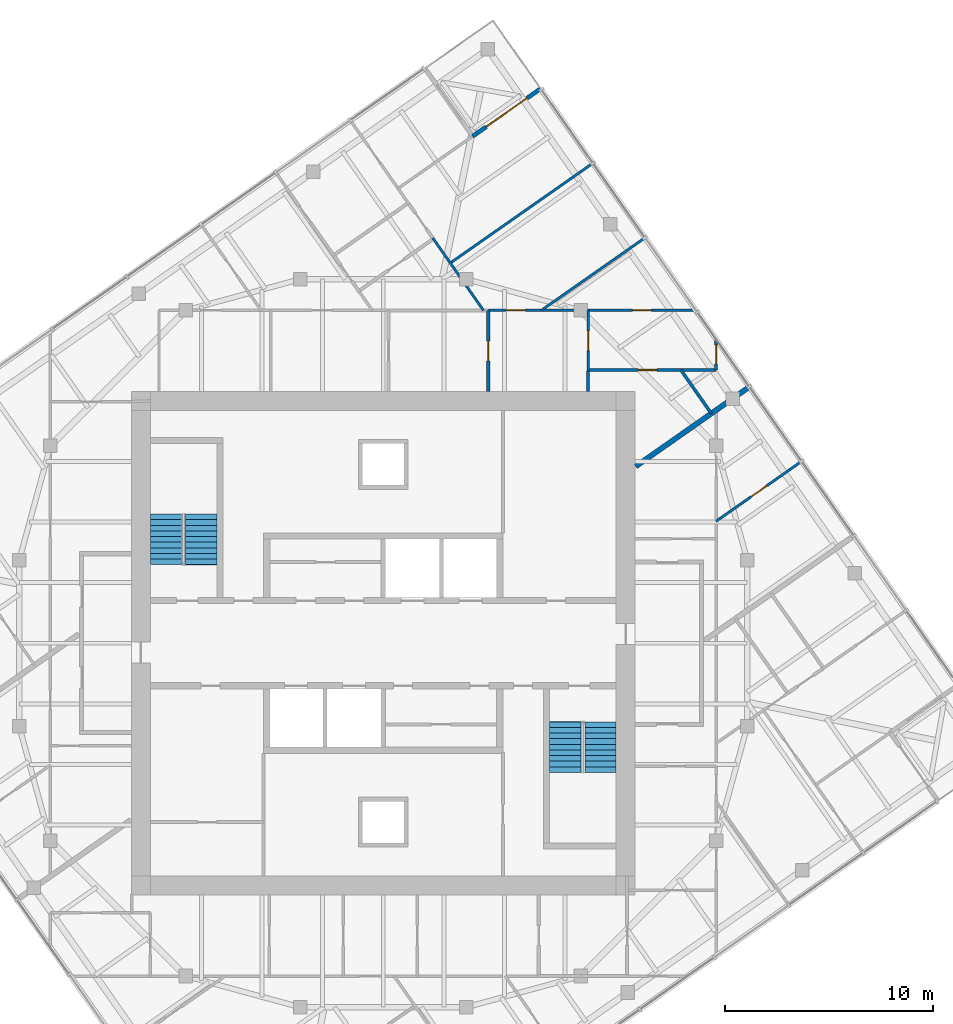
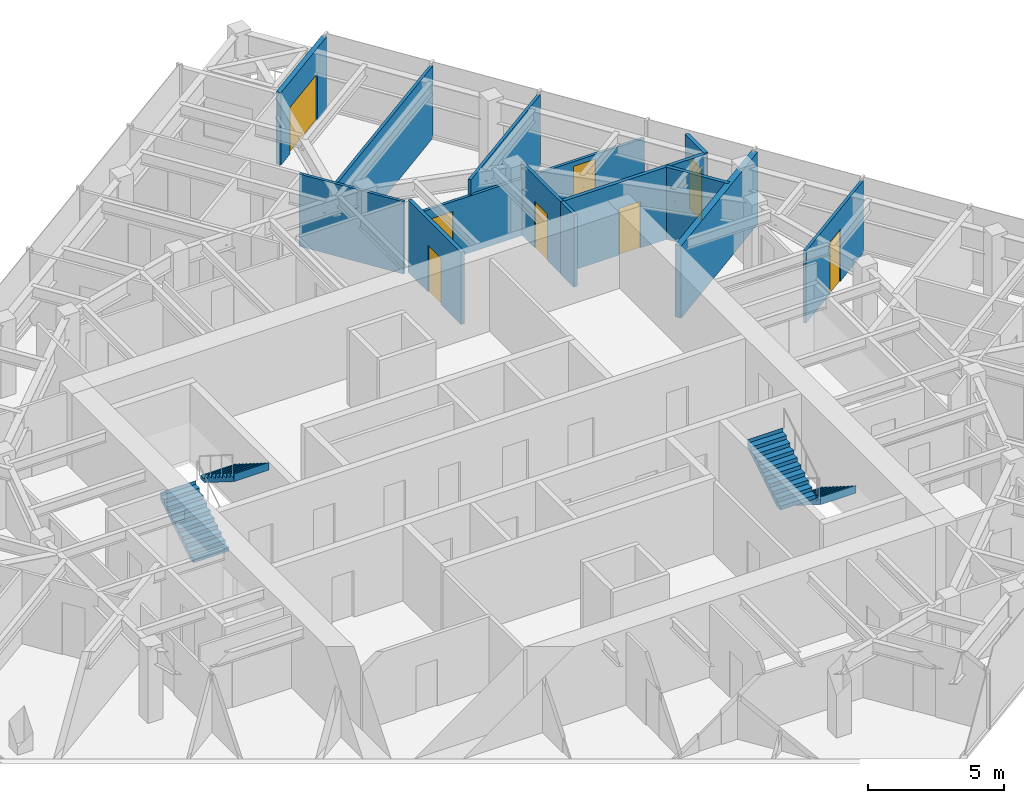
# One storey, part 11 of 12: 13 walls, 8 doors, 4 stair flights, 8 openings, 2 elements without a shape of their own.
"""IFC4 building model written with IfcOpenShell, lengths in metres."""

from ifc_helpers import new_model, si_unit, direction, frame, frame_2d, origin, place, context, subcontext, project, spatial, polyline, rectangle, outline, extrude, material, layer, layer_set, type_object, element, fill, aggregate, save


model = new_model("IFC4")

# Units and contexts
model_context = context("Model", 3, precision=1e-05, world=origin(), true_north=direction((0.0, 1.0)))
body_context = subcontext(model_context, "Body", "Model", "MODEL_VIEW")
ifc_project = project(units=[si_unit("LENGTHUNIT", "METRE"), si_unit("AREAUNIT", "SQUARE_METRE"), si_unit("VOLUMEUNIT", "CUBIC_METRE"), si_unit("PLANEANGLEUNIT", "RADIAN"), si_unit("MASSUNIT", "GRAM", prefix="KILO")], contexts=[model_context])

# Site, building, storey
site_placement = place(None, origin())
site = spatial("IfcSite", under=ifc_project, at=site_placement, CompositionType="ELEMENT")
building_placement = place(site_placement, origin())
building = spatial("IfcBuilding", under=site, at=building_placement, Name="Torsade Residences", CompositionType="ELEMENT")
storey_placement = place(building_placement, frame((0.0, 0.0, 257.39990234375)))
storey = spatial("IfcBuildingStorey", under=building, at=storey_placement, Name="L71", CompositionType="ELEMENT", Elevation=257.39990234375)

# Wall, opening, door
ifc_material_1 = material(Name="Plasterboard on steel stud", Category="steel")
ifc_layer_1 = layer(ifc_material_1, 0.1201171875)
ifc_layer_set_1 = layer_set([ifc_layer_1], Name="Plasterboard on steel stud")
wall_type_1 = type_object("IfcWallType", Name="PARTITION 120", PredefinedType="PARTITIONING", material=ifc_layer_set_1)
wall_1_placement = place(storey_placement, frame((56.0, 35.8623046875, 0.0), z_axis=(0.0, 0.0, 1.0), x_axis=(0.819144584763, 0.57358708951, 0.0)))
wall_1 = element("IfcWall", 1, at=wall_1_placement, inside=storey, type_object=wall_type_1, Name="Partition L71", PredefinedType="PARTITIONING", context=body_context, shape_type="SweptSolid", body=[
    extrude(rectangle(XDim=4.990966796875, YDim=0.1201171875, at=frame_2d((2.49560546875, 0.0))), origin(), (0.0, 0.0, 1.0), 3.25),
])
opening_1_placement = place(wall_1_placement, frame((2.055419921875, 0.0, 0.0)))
opening_1 = element("IfcOpeningElement", 2, at=opening_1_placement, cuts=wall_1, Name="Opening D02", PredefinedType="OPENING", context=body_context, shape_type="SweptSolid", body=[
    extrude(rectangle(XDim=0.919921875, YDim=2.340087890625, at=frame_2d((0.4599609375, 1.169921875))), frame((0.0, 0.070068359375, 0.0), z_axis=(0.0, -1.0, 0.0), x_axis=(1.0, 0.0, 0.0)), (0.0, 0.0, 1.0), 0.14013671875),
])
ifc_material_2 = material(Name="Hollow-core timber door", Category="wood")
door_type_1 = type_object("IfcDoorType", Name="INTERNAL DOOR 920x2340", OperationType="NOTDEFINED", PredefinedType="DOOR", material=ifc_material_2)
door_1_placement = place(opening_1_placement, origin())
door_1 = element("IfcDoor", 3, at=door_1_placement, inside=storey, type_object=door_type_1, Name="Door Bedroom 1 to Living room", OperationType="SINGLE_SWING_LEFT", OverallHeight=2.340087890625, OverallWidth=0.919921875, PredefinedType="DOOR", context=body_context, shape_type="SweptSolid", body=[
    extrude(rectangle(XDim=0.919921875, YDim=2.340087890625, at=frame_2d((0.4599609375, 1.169921875))), frame((0.0, 0.02490234375, 0.0), z_axis=(0.0, -1.0, 0.0), x_axis=(1.0, 0.0, 0.0)), (0.0, 0.0, 1.0), 0.050048828125),
])
fill(opening_1, door_1)

wall_2_placement = place(storey_placement, frame((49.849853515625, 46.0, 0.0), z_axis=(0.0, 0.0, 1.0), x_axis=(0.0, -1.0, 0.0)))
wall_2 = element("IfcWall", 4, at=wall_2_placement, inside=storey, type_object=wall_type_1, Name="Partition L71", PredefinedType="PARTITIONING", context=body_context, shape_type="SweptSolid", body=[
    extrude(rectangle(XDim=2.913330078125, YDim=0.1201171875, at=frame_2d((1.45654296875, 0.0))), origin(), (0.0, 0.0, 1.0), 3.25),
])
opening_2_placement = place(wall_2_placement, frame((0.976806640625, 0.0, 0.0)))
opening_2 = element("IfcOpeningElement", 5, at=opening_2_placement, cuts=wall_2, Name="Opening D05", PredefinedType="OPENING", context=body_context, shape_type="SweptSolid", body=[
    extrude(rectangle(XDim=0.9599609375, YDim=2.10009765625, at=frame_2d((0.47998046875, 1.050048828125))), frame((0.0, 0.070068359375, 0.0), z_axis=(0.0, -1.0, 0.0), x_axis=(1.0, 0.0, 0.0)), (0.0, 0.0, 1.0), 0.14013671875),
])
ifc_material_3 = material(Name="Hollow-core timber door in a steel cavity frame", Category="steel")
door_type_2 = type_object("IfcDoorType", Name="BATHROOM CAVITY SLIDING DOOR 960", OperationType="SLIDING_TO_LEFT", PredefinedType="DOOR", material=ifc_material_3)
door_2_placement = place(opening_2_placement, origin())
door_2 = element("IfcDoor", 6, at=door_2_placement, inside=storey, type_object=door_type_2, Name="Door Laundry to Study", OperationType="SLIDING_TO_LEFT", OverallHeight=2.10009765625, OverallWidth=0.9599609375, PredefinedType="DOOR", context=body_context, shape_type="SweptSolid", body=[
    extrude(rectangle(XDim=0.9599609375, YDim=2.10009765625, at=frame_2d((0.47998046875, 1.050048828125))), frame((0.0, 0.02490234375, 0.0), z_axis=(0.0, -1.0, 0.0), x_axis=(1.0, 0.0, 0.0)), (0.0, 0.0, 1.0), 0.050048828125),
])
fill(opening_2, door_2)

# Wall, openings, doors
wall_3_placement = place(storey_placement, frame((45.05126953125, 46.0, 0.0), z_axis=(0.0, 0.0, 1.0), x_axis=(1.0, 0.0, 0.0)))
wall_3 = element("IfcWall", 7, at=wall_3_placement, inside=storey, type_object=wall_type_1, Name="Partition L71", PredefinedType="PARTITIONING", context=body_context, shape_type="SweptSolid", body=[
    extrude(rectangle(XDim=9.943115234375, YDim=0.1201171875, at=frame_2d((4.9716796875, 0.0))), origin(), (0.0, 0.0, 1.0), 2.550048828125),
])
opening_3_placement = place(wall_3_placement, frame((0.83544921875, 0.0, 0.0)))
opening_3 = element("IfcOpeningElement", 8, at=opening_3_placement, cuts=wall_3, Name="Opening D05", PredefinedType="OPENING", context=body_context, shape_type="SweptSolid", body=[
    extrude(rectangle(XDim=0.9599609375, YDim=2.10009765625, at=frame_2d((0.47998046875, 1.050048828125))), frame((0.0, 0.070068359375, 0.0), z_axis=(0.0, -1.0, 0.0), x_axis=(1.0, 0.0, 0.0)), (0.0, 0.0, 1.0), 0.14013671875),
])
opening_4_placement = place(wall_3_placement, frame((6.935302734375, 0.0, 0.0)))
opening_4 = element("IfcOpeningElement", 9, at=opening_4_placement, cuts=wall_3, Name="Opening D02", PredefinedType="OPENING", context=body_context, shape_type="SweptSolid", body=[
    extrude(rectangle(XDim=0.919921875, YDim=2.340087890625, at=frame_2d((0.4599609375, 1.169921875))), frame((0.0, 0.070068359375, 0.0), z_axis=(0.0, -1.0, 0.0), x_axis=(1.0, 0.0, 0.0)), (0.0, 0.0, 1.0), 0.14013671875),
])
door_3_placement = place(opening_3_placement, origin())
door_3 = element("IfcDoor", 10, at=door_3_placement, inside=storey, type_object=door_type_2, Name="Door Laundry to Bedroom 2", OperationType="SLIDING_TO_LEFT", OverallHeight=2.10009765625, OverallWidth=0.9599609375, PredefinedType="DOOR", context=body_context, shape_type="SweptSolid", body=[
    extrude(rectangle(XDim=0.9599609375, YDim=2.10009765625, at=frame_2d((0.47998046875, 1.050048828125))), frame((0.0, 0.02490234375, 0.0), z_axis=(0.0, -1.0, 0.0), x_axis=(1.0, 0.0, 0.0)), (0.0, 0.0, 1.0), 0.050048828125),
])
fill(opening_3, door_3)
door_4_placement = place(opening_4_placement, origin())
door_4 = element("IfcDoor", 11, at=door_4_placement, inside=storey, type_object=door_type_1, Name="Door Study to Media room 2", OperationType="SINGLE_SWING_LEFT", OverallHeight=2.340087890625, OverallWidth=0.919921875, PredefinedType="DOOR", context=body_context, shape_type="SweptSolid", body=[
    extrude(rectangle(XDim=0.919921875, YDim=2.340087890625, at=frame_2d((0.4599609375, 1.169921875))), frame((0.0, 0.02490234375, 0.0), z_axis=(0.0, -1.0, 0.0), x_axis=(1.0, 0.0, 0.0)), (0.0, 0.0, 1.0), 0.050048828125),
])
fill(opening_4, door_4)

# Walls
wall_4_placement = place(storey_placement, frame((50.05078125, 53.060302734375, 0.0), z_axis=(0.0, 0.0, 1.0), x_axis=(-0.819152099525, -0.573576357466, 0.0)))
element("IfcWall", 12, at=wall_4_placement, inside=storey, type_object=wall_type_1, Name="Partition L71", PredefinedType="PARTITIONING", context=body_context, shape_type="SweptSolid", body=[
    extrude(rectangle(XDim=8.3349609375, YDim=0.1201171875, at=frame_2d((4.16748046875, 0.0))), origin(), (0.0, 0.0, 1.0), 3.25),
])
wall_5_placement = place(storey_placement, frame((44.8193359375, 46.0, 0.0), z_axis=(0.0, 0.0, 1.0), x_axis=(-0.573566368211, 0.819159093985, 0.0)))
element("IfcWall", 13, at=wall_5_placement, inside=storey, type_object=wall_type_1, Name="Partition L71", PredefinedType="PARTITIONING", context=body_context, shape_type="SweptSolid", body=[
    extrude(rectangle(XDim=4.252685546875, YDim=0.1201171875, at=frame_2d((2.12646484375, 0.0))), origin(), (0.0, 0.0, 1.0), 3.25),
])
wall_6_placement = place(storey_placement, frame((52.560302734375, 49.4765625, 0.0), z_axis=(0.0, 0.0, 1.0), x_axis=(-0.81915432861, -0.573573173989, 0.0)))
element("IfcWall", 14, at=wall_6_placement, inside=storey, type_object=wall_type_1, Name="Partition L71", PredefinedType="PARTITIONING", context=body_context, shape_type="SweptSolid", body=[
    extrude(rectangle(XDim=6.061279296875, YDim=0.1201171875, at=frame_2d((3.03076171875, 0.0))), origin(), (0.0, 0.0, 1.0), 3.25),
])
ifc_material_4 = material(Name="Masonry-lined stud party wall", Category="masonry")
ifc_layer_2 = layer(ifc_material_4, 0.25)
ifc_layer_set_2 = layer_set([ifc_layer_2], Name="Masonry-lined stud party wall")
wall_type_2 = type_object("IfcWallType", Name="PARTY WALL 250", PredefinedType="PARTITIONING", material=ifc_layer_set_2)
wall_7_placement = place(storey_placement, frame((57.61181640625, 42.331787109375, 0.0), z_axis=(0.0, 0.0, 1.0), x_axis=(-0.819161528122, -0.573562891796, 0.0)))
element("IfcWall", 15, at=wall_7_placement, inside=storey, type_object=wall_type_2, Name="Party wall L71", PredefinedType="PARTITIONING", context=body_context, shape_type="SweptSolid", body=[
    extrude(rectangle(XDim=6.68115234375, YDim=0.25, at=frame_2d((3.340576171875, 0.0))), origin(), (0.0, 0.0, 1.0), 3.25),
])

# Wall, opening, door
ifc_material_5 = material(Name="Reinforced blockwork", Category="masonry")
ifc_layer_3 = layer(ifc_material_5, 0.14990234375)
ifc_layer_set_3 = layer_set([ifc_layer_3], Name="Reinforced blockwork")
wall_type_3 = type_object("IfcWallType", Name="SERVICE ROOM WALL 150", PredefinedType="SOLIDWALL", material=ifc_layer_set_3)
wall_8_placement = place(storey_placement, frame((45.05126953125, 42.10009765625, 0.0), z_axis=(0.0, 0.0, 1.0), x_axis=(0.0, 1.0, 0.0)))
wall_8 = element("IfcWall", 16, at=wall_8_placement, inside=storey, type_object=wall_type_3, Name="Service room wall L71", PredefinedType="SOLIDWALL", context=body_context, shape_type="SweptSolid", body=[
    extrude(rectangle(XDim=3.89990234375, YDim=0.14990234375, at=frame_2d((1.949951171875, 0.0))), origin(), (0.0, 0.0, 1.0), 3.25),
])
opening_5_placement = place(wall_8_placement, frame((1.469970703125, 0.0, 0.0)))
opening_5 = element("IfcOpeningElement", 17, at=opening_5_placement, cuts=wall_8, Name="Opening D05", PredefinedType="OPENING", context=body_context, shape_type="SweptSolid", body=[
    extrude(rectangle(XDim=0.9599609375, YDim=2.10009765625, at=frame_2d((0.47998046875, 1.050048828125))), frame((0.0, 0.0849609375, 0.0), z_axis=(0.0, -1.0, 0.0), x_axis=(1.0, 0.0, 0.0)), (0.0, 0.0, 1.0), 0.169921875),
])
door_5_placement = place(opening_5_placement, origin())
door_5 = element("IfcDoor", 18, at=door_5_placement, inside=storey, type_object=door_type_2, Name="Door Linen store to Laundry", OperationType="SLIDING_TO_LEFT", OverallHeight=2.10009765625, OverallWidth=0.9599609375, PredefinedType="DOOR", context=body_context, shape_type="SweptSolid", body=[
    extrude(rectangle(XDim=0.9599609375, YDim=2.10009765625, at=frame_2d((0.47998046875, 1.050048828125))), frame((0.0, 0.02490234375, 0.0), z_axis=(0.0, -1.0, 0.0), x_axis=(1.0, 0.0, 0.0)), (0.0, 0.0, 1.0), 0.050048828125),
])
fill(opening_5, door_5)

# Wall
wall_9_placement = place(storey_placement, frame((49.849853515625, 43.086669921875, 0.0), z_axis=(0.0, 0.0, 1.0), x_axis=(0.0, -1.0, 0.0)))
element("IfcWall", 19, at=wall_9_placement, inside=storey, type_object=wall_type_3, Name="Service room wall L71", PredefinedType="SOLIDWALL", context=body_context, shape_type="SweptSolid", body=[
    extrude(rectangle(XDim=0.986572265625, YDim=0.14990234375, at=frame_2d((0.4931640625, 0.0))), origin(), (0.0, 0.0, 1.0), 3.25),
])

# Wall, opening, door
wall_10_placement = place(storey_placement, frame((56.0, 43.13671875, 0.0), z_axis=(0.0, 0.0, 1.0), x_axis=(-1.0, 0.0, 0.0)))
wall_10 = element("IfcWall", 20, at=wall_10_placement, inside=storey, type_object=wall_type_3, Name="Service room wall L71", PredefinedType="SOLIDWALL", context=body_context, shape_type="SweptSolid", body=[
    extrude(rectangle(XDim=6.150146484375, YDim=0.14990234375, at=frame_2d((3.0751953125, 0.0))), origin(), (0.0, 0.0, 1.0), 3.25),
])
opening_6_placement = place(wall_10_placement, frame((2.829345703125, 0.0, 0.0)))
opening_6 = element("IfcOpeningElement", 21, at=opening_6_placement, cuts=wall_10, Name="Opening D02L", PredefinedType="OPENING", context=body_context, shape_type="SweptSolid", body=[
    extrude(rectangle(XDim=0.919921875, YDim=2.10009765625, at=frame_2d((0.4599609375, 1.050048828125))), frame((0.0, 0.0849609375, 0.0), z_axis=(0.0, -1.0, 0.0), x_axis=(1.0, 0.0, 0.0)), (0.0, 0.0, 1.0), 0.169921875),
])
ifc_material_6 = material(Name="Hollow-core timber door", Category="wood")
door_type_3 = type_object("IfcDoorType", Name="INTERNAL DOOR 920x2100", OperationType="NOTDEFINED", PredefinedType="DOOR", material=ifc_material_6)
door_6_placement = place(opening_6_placement, origin())
door_6 = element("IfcDoor", 22, at=door_6_placement, inside=storey, type_object=door_type_3, Name="Door Study to Linen store 2", OperationType="SINGLE_SWING_LEFT", OverallHeight=2.10009765625, OverallWidth=0.919921875, PredefinedType="DOOR", context=body_context, shape_type="SweptSolid", body=[
    extrude(rectangle(XDim=0.919921875, YDim=2.10009765625, at=frame_2d((0.4599609375, 1.050048828125))), frame((0.0, 0.02490234375, 0.0), z_axis=(0.0, -1.0, 0.0), x_axis=(1.0, 0.0, 0.0)), (0.0, 0.0, 1.0), 0.050048828125),
])
fill(opening_6, door_6)

wall_11_placement = place(storey_placement, frame((56.0, 44.56396484375, 0.0), z_axis=(0.0, 0.0, 1.0), x_axis=(0.0, -1.0, 0.0)))
wall_11 = element("IfcWall", 23, at=wall_11_placement, inside=storey, type_object=wall_type_3, Name="Service room wall L71", PredefinedType="SOLIDWALL", context=body_context, shape_type="SweptSolid", body=[
    extrude(rectangle(XDim=1.42724609375, YDim=0.14990234375, at=frame_2d((0.713623046875, 0.0))), origin(), (0.0, 0.0, 1.0), 3.25),
])
opening_7_placement = place(wall_11_placement, frame((0.21875, 0.0, 0.0)))
opening_7 = element("IfcOpeningElement", 24, at=opening_7_placement, cuts=wall_11, Name="Opening D02", PredefinedType="OPENING", context=body_context, shape_type="SweptSolid", body=[
    extrude(rectangle(XDim=0.919921875, YDim=2.340087890625, at=frame_2d((0.4599609375, 1.169921875))), frame((0.0, 0.0849609375, 0.0), z_axis=(0.0, -1.0, 0.0), x_axis=(1.0, 0.0, 0.0)), (0.0, 0.0, 1.0), 0.169921875),
])
door_7_placement = place(opening_7_placement, origin())
door_7 = element("IfcDoor", 25, at=door_7_placement, inside=storey, type_object=door_type_1, Name="Door Study to Linen store 3", OperationType="SINGLE_SWING_RIGHT", OverallHeight=2.340087890625, OverallWidth=0.919921875, PredefinedType="DOOR", context=body_context, shape_type="SweptSolid", body=[
    extrude(rectangle(XDim=0.919921875, YDim=2.340087890625, at=frame_2d((0.4599609375, 1.169921875))), frame((0.0, 0.02490234375, 0.0), z_axis=(0.0, -1.0, 0.0), x_axis=(1.0, 0.0, 0.0)), (0.0, 0.0, 1.0), 0.050048828125),
])
fill(opening_7, door_7)

# Wall
wall_12_placement = place(storey_placement, frame((54.310302734375, 43.13671875, 0.0), z_axis=(0.0, 0.0, 1.0), x_axis=(0.573513690046, -0.819195976144, 0.0)))
element("IfcWall", 26, at=wall_12_placement, inside=storey, type_object=wall_type_3, Name="Service room wall L71", PredefinedType="SOLIDWALL", context=body_context, shape_type="SweptSolid", body=[
    extrude(rectangle(XDim=2.552978515625, YDim=0.14990234375, at=frame_2d((1.2763671875, 0.0))), origin(), (0.0, 0.0, 1.0), 3.25),
])

# Wall, opening, door
ifc_material_7 = material(Name="Stone-faced precast concrete 40 MPa panel", Category="masonry")
ifc_layer_4 = layer(ifc_material_7, 0.199951171875)
ifc_layer_set_4 = layer_set([ifc_layer_4], Name="Stone-faced precast concrete 40 MPa panel")
wall_type_4 = type_object("IfcWallType", Name="TERRACE WALL 200", PredefinedType="SOLIDWALL", material=ifc_layer_set_4)
wall_13_placement = place(storey_placement, frame((47.57421875, 56.6669921875, 0.0), z_axis=(0.0, 0.0, 1.0), x_axis=(-0.819165963305, -0.573556557423, 0.0)))
wall_13 = element("IfcWall", 27, at=wall_13_placement, inside=storey, type_object=wall_type_4, Name="Terrace wall L71 5", PredefinedType="SOLIDWALL", context=body_context, shape_type="SweptSolid", body=[
    extrude(rectangle(XDim=4.0, YDim=0.199951171875, at=frame_2d((2.0, 0.0))), origin(), (0.0, 0.0, 1.0), 3.25),
])
opening_8_placement = place(wall_13_placement, frame((0.800048828125, 0.0, 0.0)))
opening_8 = element("IfcOpeningElement", 28, at=opening_8_placement, cuts=wall_13, Name="Opening D10A", PredefinedType="OPENING", context=body_context, shape_type="SweptSolid", body=[
    extrude(rectangle(XDim=2.39990234375, YDim=2.10009765625, at=frame_2d((1.199951171875, 1.050048828125))), frame((0.0, 0.10986328125, 0.0), z_axis=(0.0, -1.0, 0.0), x_axis=(1.0, 0.0, 0.0)), (0.0, 0.0, 1.0), 0.219970703125),
])
ifc_material_8 = material(Name="Aluminium-framed glass door", Category="aluminium")
door_type_4 = type_object("IfcDoorType", Name="TERRACE SLIDING DOOR 2400x2100", OperationType="SLIDING_TO_LEFT", PredefinedType="DOOR", material=ifc_material_8)
door_8_placement = place(opening_8_placement, origin())
door_8 = element("IfcDoor", 29, at=door_8_placement, inside=storey, type_object=door_type_4, Name="Terrace door L71 5", OperationType="SLIDING_TO_LEFT", OverallHeight=2.10009765625, OverallWidth=2.39990234375, PredefinedType="DOOR", context=body_context, shape_type="SweptSolid", body=[
    extrude(rectangle(XDim=2.39990234375, YDim=2.10009765625, at=frame_2d((1.199951171875, 1.050048828125))), frame((0.0, 0.02490234375, 0.0), z_axis=(0.0, -1.0, 0.0), x_axis=(1.0, 0.0, 0.0)), (0.0, 0.0, 1.0), 0.050048828125),
])
fill(opening_8, door_8)

# Stair, stair flights
ifc_material_9 = material(Name="Precast concrete 40 MPa", Category="concrete")
stair_type = type_object("IfcStairType", Name="HALF-TURN FIRE STAIR 1500x3400", PredefinedType="HALF_TURN_STAIR", material=ifc_material_9)
stair_1_placement = place(storey_placement, origin())
stair_1 = element("IfcStair", 30, at=stair_1_placement, inside=storey, type_object=stair_type, Name="Stair ST1 L71", PredefinedType="HALF_TURN_STAIR")
ifc_material_10 = material(Name="Precast concrete 40 MPa", Category="concrete")
stair_flight_type = type_object("IfcStairFlightType", Name="PRECAST STAIR FLIGHT 1500x1700", PredefinedType="STRAIGHT", material=ifc_material_10)
stair_flight_1_placement = place(storey_placement, frame((29.550048828125, 33.780029296875, 0.0), z_axis=(0.0, 0.0, 1.0), x_axis=(0.0, 1.0, 0.0)))
stair_flight_1 = element("IfcStairFlight", 31, at=stair_flight_1_placement, type_object=stair_flight_type, Name="ST1 flight 1", NumberOfRisers=10, NumberOfTreads=9, PredefinedType="STRAIGHT", RiserHeight=0.17, TreadLength=0.27, context=body_context, shape_type="SweptSolid", body=[
    extrude(outline(polyline([(0.0, 0.0), (0.0, 0.169921875), (0.27001953125, 0.169921875), (0.27001953125, 0.340087890625), (0.5400390625, 0.340087890625), (0.5400390625, 0.510009765625), (0.81005859375, 0.510009765625), (0.81005859375, 0.679931640625), (1.080078125, 0.679931640625), (1.080078125, 0.85009765625), (1.35009765625, 0.85009765625), (1.35009765625, 1.02001953125), (1.6201171875, 1.02001953125), (1.6201171875, 1.18994140625), (1.889892578125, 1.18994140625), (1.889892578125, 1.360107421875), (2.159912109375, 1.360107421875), (2.159912109375, 1.530029296875), (2.429931640625, 1.530029296875), (2.429931640625, 1.699951171875), (2.43994140625, 1.699951171875), (2.43994140625, 1.352783203125), (2.429931640625, 1.352783203125), (0.28125, 0.0), (0.0, 0.0)])), frame((0.0, 0.75, 0.0), z_axis=(0.0, -1.0, 0.0), x_axis=(1.0, 0.0, 0.0)), (0.0, 0.0, 1.0), 1.5),
])
stair_flight_2_placement = place(storey_placement, frame((31.25, 36.2099609375, 1.7001953125), z_axis=(0.0, 0.0, 1.0), x_axis=(0.0, -1.0, 0.0)))
stair_flight_2 = element("IfcStairFlight", 32, at=stair_flight_2_placement, type_object=stair_flight_type, Name="ST1 flight 2", NumberOfRisers=10, NumberOfTreads=9, PredefinedType="STRAIGHT", RiserHeight=0.17, TreadLength=0.27, context=body_context, shape_type="SweptSolid", body=[
    extrude(outline(polyline([(0.0, 0.0), (0.0, 0.169921875), (0.27001953125, 0.169921875), (0.27001953125, 0.340087890625), (0.5400390625, 0.340087890625), (0.5400390625, 0.510009765625), (0.81005859375, 0.510009765625), (0.81005859375, 0.679931640625), (1.080078125, 0.679931640625), (1.080078125, 0.85009765625), (1.35009765625, 0.85009765625), (1.35009765625, 1.02001953125), (1.6201171875, 1.02001953125), (1.6201171875, 1.18994140625), (1.889892578125, 1.18994140625), (1.889892578125, 1.360107421875), (2.159912109375, 1.360107421875), (2.159912109375, 1.530029296875), (2.429931640625, 1.530029296875), (2.429931640625, 1.699951171875), (2.43994140625, 1.699951171875), (2.43994140625, 1.352783203125), (2.429931640625, 1.352783203125), (0.28125, 0.0), (0.0, 0.0)])), frame((0.0, 0.75, 0.0), z_axis=(0.0, -1.0, 0.0), x_axis=(1.0, 0.0, 0.0)), (0.0, 0.0, 1.0), 1.5),
])
aggregate(stair_1, [stair_flight_1, stair_flight_2])

stair_2_placement = place(storey_placement, origin())
stair_2 = element("IfcStair", 33, at=stair_2_placement, inside=storey, type_object=stair_type, Name="Stair ST2 L71", PredefinedType="HALF_TURN_STAIR")
stair_flight_3_placement = place(storey_placement, frame((50.449951171875, 26.219970703125, 0.0), z_axis=(0.0, 0.0, 1.0), x_axis=(0.0, -1.0, 0.0)))
stair_flight_3 = element("IfcStairFlight", 34, at=stair_flight_3_placement, type_object=stair_flight_type, Name="ST2 flight 1", NumberOfRisers=10, NumberOfTreads=9, PredefinedType="STRAIGHT", RiserHeight=0.17, TreadLength=0.27, context=body_context, shape_type="SweptSolid", body=[
    extrude(outline(polyline([(0.0, 0.0), (0.0, 0.169921875), (0.27001953125, 0.169921875), (0.27001953125, 0.340087890625), (0.5400390625, 0.340087890625), (0.5400390625, 0.510009765625), (0.81005859375, 0.510009765625), (0.81005859375, 0.679931640625), (1.080078125, 0.679931640625), (1.080078125, 0.85009765625), (1.35009765625, 0.85009765625), (1.35009765625, 1.02001953125), (1.6201171875, 1.02001953125), (1.6201171875, 1.18994140625), (1.889892578125, 1.18994140625), (1.889892578125, 1.360107421875), (2.159912109375, 1.360107421875), (2.159912109375, 1.530029296875), (2.429931640625, 1.530029296875), (2.429931640625, 1.699951171875), (2.43994140625, 1.699951171875), (2.43994140625, 1.352783203125), (2.429931640625, 1.352783203125), (0.28125, 0.0), (0.0, 0.0)])), frame((0.0, 0.75, 0.0), z_axis=(0.0, -1.0, 0.0), x_axis=(1.0, 0.0, 0.0)), (0.0, 0.0, 1.0), 1.5),
])
stair_flight_4_placement = place(storey_placement, frame((48.75, 23.7900390625, 1.7001953125), z_axis=(0.0, 0.0, 1.0), x_axis=(0.0, 1.0, 0.0)))
stair_flight_4 = element("IfcStairFlight", 35, at=stair_flight_4_placement, type_object=stair_flight_type, Name="ST2 flight 2", NumberOfRisers=10, NumberOfTreads=9, PredefinedType="STRAIGHT", RiserHeight=0.17, TreadLength=0.27, context=body_context, shape_type="SweptSolid", body=[
    extrude(outline(polyline([(0.0, 0.0), (0.0, 0.169921875), (0.27001953125, 0.169921875), (0.27001953125, 0.340087890625), (0.5400390625, 0.340087890625), (0.5400390625, 0.510009765625), (0.81005859375, 0.510009765625), (0.81005859375, 0.679931640625), (1.080078125, 0.679931640625), (1.080078125, 0.85009765625), (1.35009765625, 0.85009765625), (1.35009765625, 1.02001953125), (1.6201171875, 1.02001953125), (1.6201171875, 1.18994140625), (1.889892578125, 1.18994140625), (1.889892578125, 1.360107421875), (2.159912109375, 1.360107421875), (2.159912109375, 1.530029296875), (2.429931640625, 1.530029296875), (2.429931640625, 1.699951171875), (2.43994140625, 1.699951171875), (2.43994140625, 1.352783203125), (2.429931640625, 1.352783203125), (0.28125, 0.0), (0.0, 0.0)])), frame((0.0, 0.75, 0.0), z_axis=(0.0, -1.0, 0.0), x_axis=(1.0, 0.0, 0.0)), (0.0, 0.0, 1.0), 1.5),
])
aggregate(stair_2, [stair_flight_3, stair_flight_4])

save(model, "model.ifc")
